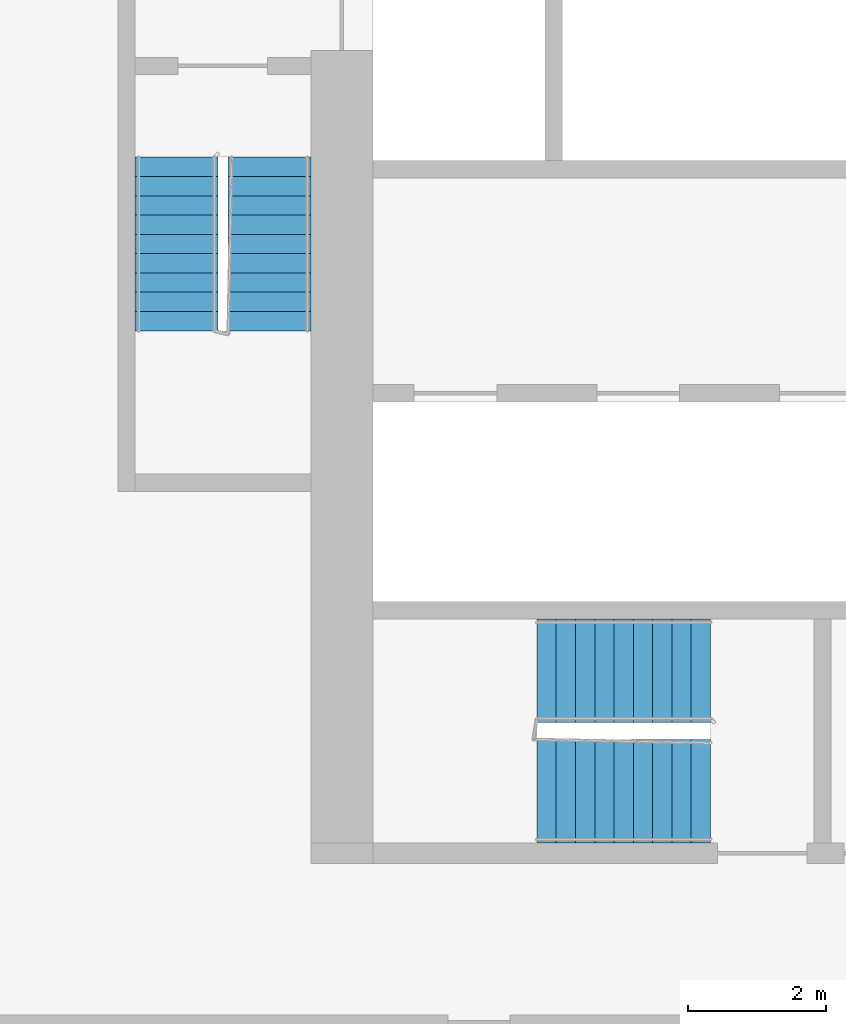
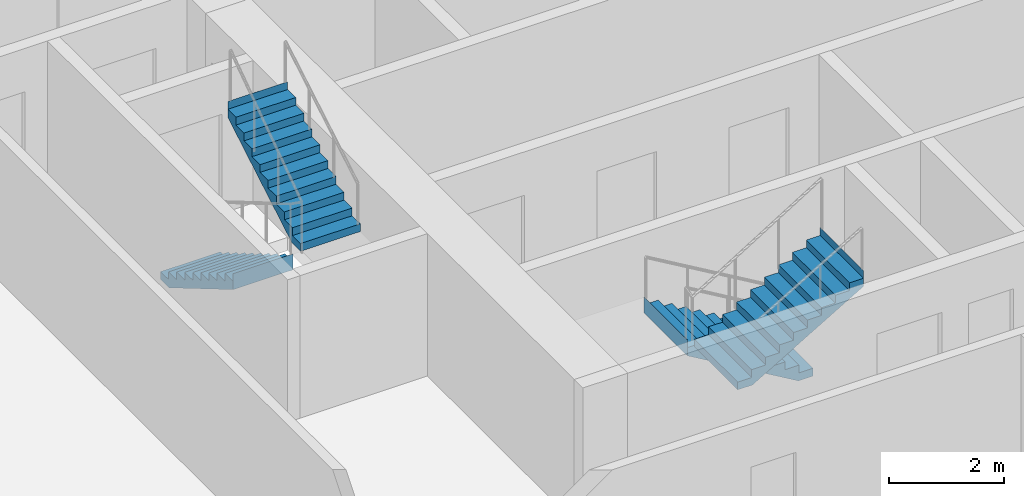
# One storey, part 9 of 12: 4 stair flights, 2 elements without a shape of their own.
"""IFC4 building model written with IfcOpenShell, lengths in metres."""

import ifcopenshell
import ifcopenshell.guid

model = None  # the IFC model being written
_history = None  # IfcOwnerHistory: only IFC2X3 demands one
_inside = {}  # id of a spatial element -> (the spatial element, [elements in it])
_under = {}  # id of a project, library or spatial element -> (it, [spatial elements below it])
_declared = {}  # id of a project -> (the project, [libraries it declares])
_typed = {}  # id of a type object -> (the type object, [elements of that type])
_made_of = {}  # id of a material, layer set ... -> (it, [elements and type objects made of it])


def new_model(schema):
    """Start an empty IFC model of exactly this schema.

    Asked for "IFC4X3", IfcOpenShell would pick the latest addendum, in which some entities
    have other attributes; the version numbers below select the first issue.
    IFC2X3 requires an IfcOwnerHistory on every rooted entity: one is made here for all.
    """
    global model, _history
    if schema == "IFC4X3":
        model = ifcopenshell.file(schema_version=(4, 3, 0, 0))
    else:
        model = ifcopenshell.file(schema=schema)
    _inside.clear()
    _under.clear()
    _declared.clear()
    _typed.clear()
    _made_of.clear()
    _history = None
    if model.schema == "IFC2X3":
        org = make("IfcOrganization", Name="unknown")
        user = make(
            "IfcPersonAndOrganization",
            ThePerson=make("IfcPerson", FamilyName="unknown"),
            TheOrganization=org,
        )
        app = make(
            "IfcApplication",
            ApplicationDeveloper=org,
            Version="unknown",
            ApplicationFullName="unknown",
            ApplicationIdentifier="unknown",
        )
        _history = make(
            "IfcOwnerHistory",
            OwningUser=user,
            OwningApplication=app,
            ChangeAction="ADDED",
            CreationDate=0,
        )
    return model


def make(cls, **values):
    """One entity of the class cls with the attributes given. An attribute that is None is left unset."""
    return model.create_entity(
        cls, **{name: value for name, value in values.items() if value is not None}
    )


def rooted(cls, **values):
    """An entity with a GlobalId (a new one), such as an element, a storey or a relation."""
    return make(cls, GlobalId=ifcopenshell.guid.new(), OwnerHistory=_history, **values)


def si_unit(unit_type, name, prefix=None):
    """IfcSIUnit, for example si_unit("LENGTHUNIT", "METRE", prefix="MILLI")."""
    return make("IfcSIUnit", UnitType=unit_type, Prefix=prefix, Name=name)


def assignment(units):
    """IfcUnitAssignment: the units of a project."""
    return None if units is None else make("IfcUnitAssignment", Units=units)


def point(xyz):
    """IfcCartesianPoint."""
    return None if xyz is None else make("IfcCartesianPoint", Coordinates=xyz)


def direction(xyz):
    """IfcDirection."""
    return None if xyz is None else make("IfcDirection", DirectionRatios=xyz)


def frame(location, z_axis=None, x_axis=None):
    """IfcAxis2Placement3D, a coordinate frame: its origin and axes. An axis left out is left unset."""
    return make(
        "IfcAxis2Placement3D",
        Location=point(location),
        Axis=direction(z_axis),
        RefDirection=direction(x_axis),
    )


def origin():
    """The frame at (0, 0, 0) with its axes left unset."""
    return frame((0.0, 0.0, 0.0))


def place(relative_to, where):
    """IfcLocalPlacement: puts the frame where relative to a parent placement (None: the world)."""
    return make(
        "IfcLocalPlacement", PlacementRelTo=relative_to, RelativePlacement=where
    )


def context(
    kind, dimensions, precision=None, world=None, true_north=None, identifier=None
):
    """IfcGeometricRepresentationContext, for example the 3D "Model" context."""
    return make(
        "IfcGeometricRepresentationContext",
        ContextIdentifier=identifier,
        ContextType=kind,
        CoordinateSpaceDimension=dimensions,
        Precision=precision,
        WorldCoordinateSystem=world,
        TrueNorth=true_north,
    )


def subcontext(parent, identifier, kind, view, scale=None):
    """IfcGeometricRepresentationSubContext, for example "Body" below "Model"."""
    return make(
        "IfcGeometricRepresentationSubContext",
        ContextIdentifier=identifier,
        ContextType=kind,
        ParentContext=parent,
        TargetScale=scale,
        TargetView=view,
    )


def project(units=None, contexts=None):
    """IfcProject with its units and contexts."""
    return rooted(
        "IfcProject",
        Name="project",
        RepresentationContexts=contexts,
        UnitsInContext=assignment(units),
    )


def spatial(cls, under=None, at=None, **own):
    """A site, building, storey or space (cls), placed at a placement, below another one or the project."""
    s = rooted(cls, ObjectPlacement=at, **own)
    if under is not None:
        _under.setdefault(under.id(), (under, []))[1].append(s)
    return s


def faces_of(points, faces, orient=None, outer=None):
    """IfcFace entities. A face is a list of loops; a loop is a list of indices into points, from 0.

    orient and outer hold one flag for each loop. By default every Orientation is true, the
    first loop of a face is its IfcFaceOuterBound and the others are IfcFaceBound.
    """
    made = []
    for i, loops in enumerate(faces):
        bounds = []
        for j, loop in enumerate(loops):
            is_outer = j == 0 if outer is None else outer[i][j]
            bounds.append(
                make(
                    "IfcFaceOuterBound" if is_outer else "IfcFaceBound",
                    Bound=make("IfcPolyLoop", Polygon=[points[k] for k in loop]),
                    Orientation=True if orient is None else orient[i][j],
                )
            )
        made.append(make("IfcFace", Bounds=bounds))
    return made


def faceted_brep(points, faces, orient=None, outer=None, voids=None):
    """IfcFacetedBrep: a solid bounded by flat faces; with voids (closed shells), ...WithVoids."""
    shared = [point(p) for p in points]
    hull = make("IfcClosedShell", CfsFaces=faces_of(shared, faces, orient, outer))
    if voids is None:
        return make("IfcFacetedBrep", Outer=hull)
    return make(
        "IfcFacetedBrepWithVoids",
        Outer=hull,
        Voids=[
            make(cls, CfsFaces=faces_of(shared, fs, o, b)) for cls, fs, o, b in voids
        ],
    )


def shape(context_of_items, identifier, shape_type, items):
    """IfcShapeRepresentation: the items that make up one representation, for example the "Body"."""
    return make(
        "IfcShapeRepresentation",
        ContextOfItems=context_of_items,
        RepresentationIdentifier=identifier,
        RepresentationType=shape_type,
        Items=items,
    )


def material(Name=None, Category=None):
    """IfcMaterial."""
    return make("IfcMaterial", Name=Name, Category=Category)


def made_of(thing, what):
    """Note that an element or type object is made of a material, layer set ...; save() writes the relation."""
    if what is not None:
        _made_of.setdefault(what.id(), (what, []))[1].append(thing)
    return thing


def type_object(cls, material=None, **own):
    """A type object (cls), such as IfcWallType, which elements share."""
    return made_of(rooted(cls, **own), material)


def element(
    cls,
    number,
    at=None,
    inside=None,
    cuts=None,
    type_object=None,
    material=None,
    context=None,
    identifier="Body",
    shape_type=None,
    held_by="IfcProductDefinitionShape",
    body=None,
    shapes=None,
    **own,
):
    """One element of the class cls, such as IfcWall. Its Tag is "e" and its number.

    at: its placement. inside: the storey or other place that contains it. cuts: it is an
    opening in that element (IfcRelVoidsElement). A single representation is given by context,
    identifier, shape_type and body (its items); several are given by shapes. held_by: the class
    of the entity that holds the representations. save() writes the other relations.
    """
    e = rooted(cls, Tag="e%d" % number, ObjectPlacement=at, **own)
    if body is not None:
        shapes = [shape(context, identifier, shape_type, body)]
    if shapes is not None:
        e.Representation = make(held_by, Representations=shapes)
    if inside is not None:
        _inside.setdefault(inside.id(), (inside, []))[1].append(e)
    if cuts is not None:
        rooted(
            "IfcRelVoidsElement", RelatingBuildingElement=cuts, RelatedOpeningElement=e
        )
    if type_object is not None:
        _typed.setdefault(type_object.id(), (type_object, []))[1].append(e)
    return made_of(e, material)


def aggregate(whole, parts):
    """IfcRelAggregates: a whole, such as a stair, and the parts it consists of."""
    return rooted("IfcRelAggregates", RelatingObject=whole, RelatedObjects=parts)


def save(model, path):
    """Write the relations noted so far, then the file.

    IfcRelAggregates (storeys below a building ...), IfcRelContainedInSpatialStructure (elements
    in a storey), IfcRelDefinesByType, IfcRelAssociatesMaterial and IfcRelDeclares: one each for
    every whole, place, type object, material and project.
    """
    for whole, parts in _under.values():
        aggregate(whole, parts)
    for where, things in _inside.values():
        rooted(
            "IfcRelContainedInSpatialStructure",
            RelatedElements=things,
            RelatingStructure=where,
        )
    for kind, things in _typed.values():
        rooted("IfcRelDefinesByType", RelatedObjects=things, RelatingType=kind)
    for what, things in _made_of.values():
        rooted("IfcRelAssociatesMaterial", RelatedObjects=things, RelatingMaterial=what)
    for by, libraries in _declared.values():
        rooted("IfcRelDeclares", RelatingContext=by, RelatedDefinitions=libraries)
    model.write(path)


model = new_model("IFC4")

# Units and contexts
model_context = context("Model", 3, precision=1e-05, world=origin(), true_north=direction((0.0, 1.0)))
body_context = subcontext(model_context, "Body", "Model", "MODEL_VIEW")
ifc_project = project(units=[si_unit("LENGTHUNIT", "METRE"), si_unit("AREAUNIT", "SQUARE_METRE"), si_unit("VOLUMEUNIT", "CUBIC_METRE"), si_unit("PLANEANGLEUNIT", "RADIAN"), si_unit("MASSUNIT", "GRAM", prefix="KILO")], contexts=[model_context])

# Site, building, storey
site_placement = place(None, origin())
site = spatial("IfcSite", under=ifc_project, at=site_placement, CompositionType="ELEMENT")
building_placement = place(site_placement, origin())
building = spatial("IfcBuilding", under=site, at=building_placement, Name="Kajstack Hotel Tower", CompositionType="ELEMENT")
storey_placement = place(building_placement, frame((0.0, 0.0, 63.300048828125)))
storey = spatial("IfcBuildingStorey", under=building, at=storey_placement, Name="L10", CompositionType="ELEMENT", Elevation=63.300048828125)

# Stair, stair flights
ifc_material = material(Name="Concrete C40/50", Category="concrete")
stair_type_1 = type_object("IfcStairType", Name="Exit stair 1200", PredefinedType="HALF_TURN_STAIR", material=ifc_material)
stair_1_placement = place(storey_placement, origin())
stair_1 = element("IfcStair", 1, at=stair_1_placement, inside=storey, type_object=stair_type_1, Name="L10 stair W1", PredefinedType="HALF_TURN_STAIR")
stair_flight_type_1 = type_object("IfcStairFlightType", Name="Exit stair flight 1200", PredefinedType="STRAIGHT", material=ifc_material)
stair_flight_1_placement = place(storey_placement, frame((-33.449951171875, -5.25, 0.0), z_axis=(0.0, 0.0, 1.0), x_axis=(0.0, -1.0, 0.0)))
stair_flight_1 = element("IfcStairFlight", 2, at=stair_flight_1_placement, type_object=stair_flight_type_1, Name="W1 flight 1", NumberOfRisers=10, NumberOfTreads=9, PredefinedType="STRAIGHT", RiserHeight=0.165, TreadLength=0.28, context=body_context, shape_type="Brep", body=[
    faceted_brep([(0.295654296875, -0.60009765625, 0.0), (2.5205078125, -0.60009765625, 1.31103515625), (2.5205078125, -0.60009765625, 1.64990234375), (2.52001953125, -0.60009765625, 1.64990234375), (2.52001953125, -0.60009765625, 1.485107421875), (2.239990234375, -0.60009765625, 1.485107421875), (2.239990234375, -0.60009765625, 1.320068359375), (1.9599609375, -0.60009765625, 1.320068359375), (1.9599609375, -0.60009765625, 1.155029296875), (1.679931640625, -0.60009765625, 1.155029296875), (1.679931640625, -0.60009765625, 0.989990234375), (1.39990234375, -0.60009765625, 0.989990234375), (1.39990234375, -0.60009765625, 0.824951171875), (1.1201171875, -0.60009765625, 0.824951171875), (1.1201171875, -0.60009765625, 0.659912109375), (0.840087890625, -0.60009765625, 0.659912109375), (0.840087890625, -0.60009765625, 0.4951171875), (0.56005859375, -0.60009765625, 0.4951171875), (0.56005859375, -0.60009765625, 0.330078125), (0.280029296875, -0.60009765625, 0.330078125), (0.280029296875, -0.60009765625, 0.1650390625), (-0.00048828125, -0.60009765625, 0.1650390625), (-0.00048828125, -0.60009765625, 0.0), (-0.00048828125, 0.60009765625, 0.0), (-0.00048828125, 0.60009765625, 0.1650390625), (0.280029296875, 0.60009765625, 0.1650390625), (0.280029296875, 0.60009765625, 0.330078125), (0.56005859375, 0.60009765625, 0.330078125), (0.56005859375, 0.60009765625, 0.4951171875), (0.840087890625, 0.60009765625, 0.4951171875), (0.840087890625, 0.60009765625, 0.659912109375), (1.1201171875, 0.60009765625, 0.659912109375), (1.1201171875, 0.60009765625, 0.824951171875), (1.39990234375, 0.60009765625, 0.824951171875), (1.39990234375, 0.60009765625, 0.989990234375), (1.679931640625, 0.60009765625, 0.989990234375), (1.679931640625, 0.60009765625, 1.155029296875), (1.9599609375, 0.60009765625, 1.155029296875), (1.9599609375, 0.60009765625, 1.320068359375), (2.239990234375, 0.60009765625, 1.320068359375), (2.239990234375, 0.60009765625, 1.485107421875), (2.52001953125, 0.60009765625, 1.485107421875), (2.52001953125, 0.60009765625, 1.64990234375), (2.5205078125, 0.60009765625, 1.64990234375), (2.5205078125, 0.60009765625, 1.31103515625), (0.295654296875, 0.60009765625, 0.0), (-0.00048828125, -0.300048828125, 0.1650390625), (-0.00048828125, 0.0, 0.1650390625), (-0.00048828125, 0.300048828125, 0.1650390625), (-0.00048828125, 0.300048828125, 0.0), (-0.00048828125, 0.0, 0.0), (-0.00048828125, -0.300048828125, 0.0), (0.280029296875, -0.300048828125, 0.1650390625), (0.280029296875, 0.0, 0.1650390625), (0.280029296875, 0.300048828125, 0.1650390625), (0.280029296875, -0.300048828125, 0.330078125), (0.280029296875, 0.0, 0.330078125), (0.280029296875, 0.300048828125, 0.330078125), (0.56005859375, -0.300048828125, 0.330078125), (0.56005859375, 0.0, 0.330078125), (0.56005859375, 0.300048828125, 0.330078125), (0.56005859375, -0.300048828125, 0.4951171875), (0.56005859375, 0.0, 0.4951171875), (0.56005859375, 0.300048828125, 0.4951171875), (0.840087890625, -0.300048828125, 0.4951171875), (0.840087890625, 0.0, 0.4951171875), (0.840087890625, 0.300048828125, 0.4951171875), (0.840087890625, -0.300048828125, 0.659912109375), (0.840087890625, 0.0, 0.659912109375), (0.840087890625, 0.300048828125, 0.659912109375), (1.1201171875, -0.300048828125, 0.659912109375), (1.1201171875, 0.0, 0.659912109375), (1.1201171875, 0.300048828125, 0.659912109375), (1.1201171875, -0.300048828125, 0.824951171875), (1.1201171875, 0.0, 0.824951171875), (1.1201171875, 0.300048828125, 0.824951171875), (1.39990234375, -0.300048828125, 0.824951171875), (1.39990234375, 0.0, 0.824951171875), (1.39990234375, 0.300048828125, 0.824951171875), (1.39990234375, -0.300048828125, 0.989990234375), (1.39990234375, 0.0, 0.989990234375), (1.39990234375, 0.300048828125, 0.989990234375), (1.679931640625, -0.300048828125, 0.989990234375), (1.679931640625, 0.0, 0.989990234375), (1.679931640625, 0.300048828125, 0.989990234375), (1.679931640625, -0.300048828125, 1.155029296875), (1.679931640625, 0.0, 1.155029296875), (1.679931640625, 0.300048828125, 1.155029296875), (1.9599609375, -0.300048828125, 1.155029296875), (1.9599609375, 0.0, 1.155029296875), (1.9599609375, 0.300048828125, 1.155029296875), (1.9599609375, -0.300048828125, 1.320068359375), (1.9599609375, 0.0, 1.320068359375), (1.9599609375, 0.300048828125, 1.320068359375), (2.239990234375, -0.300048828125, 1.320068359375), (2.239990234375, 0.0, 1.320068359375), (2.239990234375, 0.300048828125, 1.320068359375), (2.239990234375, -0.300048828125, 1.485107421875), (2.239990234375, 0.0, 1.485107421875), (2.239990234375, 0.300048828125, 1.485107421875), (2.52001953125, -0.300048828125, 1.485107421875), (2.52001953125, 0.0, 1.485107421875), (2.52001953125, 0.300048828125, 1.485107421875), (2.52001953125, -0.300048828125, 1.64990234375), (2.52001953125, 0.0, 1.64990234375), (2.52001953125, 0.300048828125, 1.64990234375), (2.5205078125, -0.300048828125, 1.64990234375), (2.5205078125, 0.0, 1.64990234375), (2.5205078125, 0.300048828125, 1.64990234375), (2.5205078125, -0.300048828125, 1.31103515625), (2.5205078125, 0.0, 1.31103515625), (2.5205078125, 0.300048828125, 1.31103515625), (0.295654296875, -0.300048828125, 0.0), (0.295654296875, 0.0, 0.0), (0.295654296875, 0.300048828125, 0.0)], [[[0, 1, 2, 3, 4, 5, 6, 7, 8, 9, 10, 11, 12, 13, 14, 15, 16, 17, 18, 19, 20, 21, 22]], [[23, 24, 25, 26, 27, 28, 29, 30, 31, 32, 33, 34, 35, 36, 37, 38, 39, 40, 41, 42, 43, 44, 45]], [[21, 46, 47, 48, 24, 23, 49, 50, 51, 22]], [[20, 52, 53, 54, 25, 24, 48, 47, 46, 21]], [[19, 55, 56, 57, 26, 25, 54, 53, 52, 20]], [[18, 58, 59, 60, 27, 26, 57, 56, 55, 19]], [[17, 61, 62, 63, 28, 27, 60, 59, 58, 18]], [[16, 64, 65, 66, 29, 28, 63, 62, 61, 17]], [[15, 67, 68, 69, 30, 29, 66, 65, 64, 16]], [[14, 70, 71, 72, 31, 30, 69, 68, 67, 15]], [[13, 73, 74, 75, 32, 31, 72, 71, 70, 14]], [[12, 76, 77, 78, 33, 32, 75, 74, 73, 13]], [[11, 79, 80, 81, 34, 33, 78, 77, 76, 12]], [[10, 82, 83, 84, 35, 34, 81, 80, 79, 11]], [[9, 85, 86, 87, 36, 35, 84, 83, 82, 10]], [[8, 88, 89, 90, 37, 36, 87, 86, 85, 9]], [[7, 91, 92, 93, 38, 37, 90, 89, 88, 8]], [[6, 94, 95, 96, 39, 38, 93, 92, 91, 7]], [[5, 97, 98, 99, 40, 39, 96, 95, 94, 6]], [[4, 100, 101, 102, 41, 40, 99, 98, 97, 5]], [[3, 103, 104, 105, 42, 41, 102, 101, 100, 4]], [[2, 106, 107, 108, 43, 42, 105, 104, 103, 3]], [[1, 109, 110, 111, 44, 43, 108, 107, 106, 2]], [[0, 112, 113, 114, 45, 44, 111, 110, 109, 1]], [[22, 51, 50, 49, 23, 45, 114, 113, 112, 0]]]),
])
stair_flight_2_placement = place(storey_placement, frame((-32.10009765625, -7.77001953125, 1.64990234375), z_axis=(0.0, 0.0, 1.0), x_axis=(0.0, 1.0, 0.0)))
stair_flight_2 = element("IfcStairFlight", 3, at=stair_flight_2_placement, type_object=stair_flight_type_1, Name="W1 flight 2", NumberOfRisers=10, NumberOfTreads=9, PredefinedType="STRAIGHT", RiserHeight=0.165, TreadLength=0.28, context=body_context, shape_type="Brep", body=[
    faceted_brep([(0.295654296875, -0.60009765625, 0.0), (2.5205078125, -0.60009765625, 1.31103515625), (2.5205078125, -0.60009765625, 1.64990234375), (2.52001953125, -0.60009765625, 1.64990234375), (2.52001953125, -0.60009765625, 1.485107421875), (2.239990234375, -0.60009765625, 1.485107421875), (2.239990234375, -0.60009765625, 1.320068359375), (1.9599609375, -0.60009765625, 1.320068359375), (1.9599609375, -0.60009765625, 1.155029296875), (1.679931640625, -0.60009765625, 1.155029296875), (1.679931640625, -0.60009765625, 0.989990234375), (1.39990234375, -0.60009765625, 0.989990234375), (1.39990234375, -0.60009765625, 0.824951171875), (1.1201171875, -0.60009765625, 0.824951171875), (1.1201171875, -0.60009765625, 0.659912109375), (0.840087890625, -0.60009765625, 0.659912109375), (0.840087890625, -0.60009765625, 0.4951171875), (0.56005859375, -0.60009765625, 0.4951171875), (0.56005859375, -0.60009765625, 0.330078125), (0.280029296875, -0.60009765625, 0.330078125), (0.280029296875, -0.60009765625, 0.1650390625), (-0.00048828125, -0.60009765625, 0.1650390625), (-0.00048828125, -0.60009765625, 0.0), (-0.00048828125, 0.60009765625, 0.0), (-0.00048828125, 0.60009765625, 0.1650390625), (0.280029296875, 0.60009765625, 0.1650390625), (0.280029296875, 0.60009765625, 0.330078125), (0.56005859375, 0.60009765625, 0.330078125), (0.56005859375, 0.60009765625, 0.4951171875), (0.840087890625, 0.60009765625, 0.4951171875), (0.840087890625, 0.60009765625, 0.659912109375), (1.1201171875, 0.60009765625, 0.659912109375), (1.1201171875, 0.60009765625, 0.824951171875), (1.39990234375, 0.60009765625, 0.824951171875), (1.39990234375, 0.60009765625, 0.989990234375), (1.679931640625, 0.60009765625, 0.989990234375), (1.679931640625, 0.60009765625, 1.155029296875), (1.9599609375, 0.60009765625, 1.155029296875), (1.9599609375, 0.60009765625, 1.320068359375), (2.239990234375, 0.60009765625, 1.320068359375), (2.239990234375, 0.60009765625, 1.485107421875), (2.52001953125, 0.60009765625, 1.485107421875), (2.52001953125, 0.60009765625, 1.64990234375), (2.5205078125, 0.60009765625, 1.64990234375), (2.5205078125, 0.60009765625, 1.31103515625), (0.295654296875, 0.60009765625, 0.0), (-0.00048828125, -0.300048828125, 0.1650390625), (-0.00048828125, 0.0, 0.1650390625), (-0.00048828125, 0.300048828125, 0.1650390625), (-0.00048828125, 0.300048828125, 0.0), (-0.00048828125, 0.0, 0.0), (-0.00048828125, -0.300048828125, 0.0), (0.280029296875, -0.300048828125, 0.1650390625), (0.280029296875, 0.0, 0.1650390625), (0.280029296875, 0.300048828125, 0.1650390625), (0.280029296875, -0.300048828125, 0.330078125), (0.280029296875, 0.0, 0.330078125), (0.280029296875, 0.300048828125, 0.330078125), (0.56005859375, -0.300048828125, 0.330078125), (0.56005859375, 0.0, 0.330078125), (0.56005859375, 0.300048828125, 0.330078125), (0.56005859375, -0.300048828125, 0.4951171875), (0.56005859375, 0.0, 0.4951171875), (0.56005859375, 0.300048828125, 0.4951171875), (0.840087890625, -0.300048828125, 0.4951171875), (0.840087890625, 0.0, 0.4951171875), (0.840087890625, 0.300048828125, 0.4951171875), (0.840087890625, -0.300048828125, 0.659912109375), (0.840087890625, 0.0, 0.659912109375), (0.840087890625, 0.300048828125, 0.659912109375), (1.1201171875, -0.300048828125, 0.659912109375), (1.1201171875, 0.0, 0.659912109375), (1.1201171875, 0.300048828125, 0.659912109375), (1.1201171875, -0.300048828125, 0.824951171875), (1.1201171875, 0.0, 0.824951171875), (1.1201171875, 0.300048828125, 0.824951171875), (1.39990234375, -0.300048828125, 0.824951171875), (1.39990234375, 0.0, 0.824951171875), (1.39990234375, 0.300048828125, 0.824951171875), (1.39990234375, -0.300048828125, 0.989990234375), (1.39990234375, 0.0, 0.989990234375), (1.39990234375, 0.300048828125, 0.989990234375), (1.679931640625, -0.300048828125, 0.989990234375), (1.679931640625, 0.0, 0.989990234375), (1.679931640625, 0.300048828125, 0.989990234375), (1.679931640625, -0.300048828125, 1.155029296875), (1.679931640625, 0.0, 1.155029296875), (1.679931640625, 0.300048828125, 1.155029296875), (1.9599609375, -0.300048828125, 1.155029296875), (1.9599609375, 0.0, 1.155029296875), (1.9599609375, 0.300048828125, 1.155029296875), (1.9599609375, -0.300048828125, 1.320068359375), (1.9599609375, 0.0, 1.320068359375), (1.9599609375, 0.300048828125, 1.320068359375), (2.239990234375, -0.300048828125, 1.320068359375), (2.239990234375, 0.0, 1.320068359375), (2.239990234375, 0.300048828125, 1.320068359375), (2.239990234375, -0.300048828125, 1.485107421875), (2.239990234375, 0.0, 1.485107421875), (2.239990234375, 0.300048828125, 1.485107421875), (2.52001953125, -0.300048828125, 1.485107421875), (2.52001953125, 0.0, 1.485107421875), (2.52001953125, 0.300048828125, 1.485107421875), (2.52001953125, -0.300048828125, 1.64990234375), (2.52001953125, 0.0, 1.64990234375), (2.52001953125, 0.300048828125, 1.64990234375), (2.5205078125, -0.300048828125, 1.64990234375), (2.5205078125, 0.0, 1.64990234375), (2.5205078125, 0.300048828125, 1.64990234375), (2.5205078125, -0.300048828125, 1.31103515625), (2.5205078125, 0.0, 1.31103515625), (2.5205078125, 0.300048828125, 1.31103515625), (0.295654296875, -0.300048828125, 0.0), (0.295654296875, 0.0, 0.0), (0.295654296875, 0.300048828125, 0.0)], [[[0, 1, 2, 3, 4, 5, 6, 7, 8, 9, 10, 11, 12, 13, 14, 15, 16, 17, 18, 19, 20, 21, 22]], [[23, 24, 25, 26, 27, 28, 29, 30, 31, 32, 33, 34, 35, 36, 37, 38, 39, 40, 41, 42, 43, 44, 45]], [[21, 46, 47, 48, 24, 23, 49, 50, 51, 22]], [[20, 52, 53, 54, 25, 24, 48, 47, 46, 21]], [[19, 55, 56, 57, 26, 25, 54, 53, 52, 20]], [[18, 58, 59, 60, 27, 26, 57, 56, 55, 19]], [[17, 61, 62, 63, 28, 27, 60, 59, 58, 18]], [[16, 64, 65, 66, 29, 28, 63, 62, 61, 17]], [[15, 67, 68, 69, 30, 29, 66, 65, 64, 16]], [[14, 70, 71, 72, 31, 30, 69, 68, 67, 15]], [[13, 73, 74, 75, 32, 31, 72, 71, 70, 14]], [[12, 76, 77, 78, 33, 32, 75, 74, 73, 13]], [[11, 79, 80, 81, 34, 33, 78, 77, 76, 12]], [[10, 82, 83, 84, 35, 34, 81, 80, 79, 11]], [[9, 85, 86, 87, 36, 35, 84, 83, 82, 10]], [[8, 88, 89, 90, 37, 36, 87, 86, 85, 9]], [[7, 91, 92, 93, 38, 37, 90, 89, 88, 8]], [[6, 94, 95, 96, 39, 38, 93, 92, 91, 7]], [[5, 97, 98, 99, 40, 39, 96, 95, 94, 6]], [[4, 100, 101, 102, 41, 40, 99, 98, 97, 5]], [[3, 103, 104, 105, 42, 41, 102, 101, 100, 4]], [[2, 106, 107, 108, 43, 42, 105, 104, 103, 3]], [[1, 109, 110, 111, 44, 43, 108, 107, 106, 2]], [[0, 112, 113, 114, 45, 44, 111, 110, 109, 1]], [[22, 51, 50, 49, 23, 45, 114, 113, 112, 0]]]),
])
aggregate(stair_1, [stair_flight_1, stair_flight_2])

stair_type_2 = type_object("IfcStairType", Name="Exit stair 1500", PredefinedType="HALF_TURN_STAIR", material=ifc_material)
stair_2_placement = place(storey_placement, origin())
stair_2 = element("IfcStair", 4, at=stair_2_placement, inside=storey, type_object=stair_type_2, Name="L10 stair W3", PredefinedType="HALF_TURN_STAIR")
stair_flight_type_2 = type_object("IfcStairFlightType", Name="Exit stair flight 1500", PredefinedType="STRAIGHT", material=ifc_material)
stair_flight_3_placement = place(storey_placement, frame((-25.699951171875, -12.699951171875, 0.0), z_axis=(0.0, 0.0, 1.0), x_axis=(-1.0, 0.0, 0.0)))
stair_flight_3 = element("IfcStairFlight", 5, at=stair_flight_3_placement, type_object=stair_flight_type_2, Name="W3 flight 1", NumberOfRisers=10, NumberOfTreads=9, PredefinedType="STRAIGHT", RiserHeight=0.165, TreadLength=0.28, context=body_context, shape_type="Brep", body=[
    faceted_brep([(0.295654296875, -0.75, 0.0), (2.5205078125, -0.75, 1.31103515625), (2.5205078125, -0.75, 1.64990234375), (2.52001953125, -0.75, 1.64990234375), (2.52001953125, -0.75, 1.485107421875), (2.239990234375, -0.75, 1.485107421875), (2.239990234375, -0.75, 1.320068359375), (1.9599609375, -0.75, 1.320068359375), (1.9599609375, -0.75, 1.155029296875), (1.679931640625, -0.75, 1.155029296875), (1.679931640625, -0.75, 0.989990234375), (1.39990234375, -0.75, 0.989990234375), (1.39990234375, -0.75, 0.824951171875), (1.1201171875, -0.75, 0.824951171875), (1.1201171875, -0.75, 0.659912109375), (0.840087890625, -0.75, 0.659912109375), (0.840087890625, -0.75, 0.4951171875), (0.56005859375, -0.75, 0.4951171875), (0.56005859375, -0.75, 0.330078125), (0.280029296875, -0.75, 0.330078125), (0.280029296875, -0.75, 0.1650390625), (-0.00048828125, -0.75, 0.1650390625), (-0.00048828125, -0.75, 0.0), (-0.00048828125, 0.75, 0.0), (-0.00048828125, 0.75, 0.1650390625), (0.280029296875, 0.75, 0.1650390625), (0.280029296875, 0.75, 0.330078125), (0.56005859375, 0.75, 0.330078125), (0.56005859375, 0.75, 0.4951171875), (0.840087890625, 0.75, 0.4951171875), (0.840087890625, 0.75, 0.659912109375), (1.1201171875, 0.75, 0.659912109375), (1.1201171875, 0.75, 0.824951171875), (1.39990234375, 0.75, 0.824951171875), (1.39990234375, 0.75, 0.989990234375), (1.679931640625, 0.75, 0.989990234375), (1.679931640625, 0.75, 1.155029296875), (1.9599609375, 0.75, 1.155029296875), (1.9599609375, 0.75, 1.320068359375), (2.239990234375, 0.75, 1.320068359375), (2.239990234375, 0.75, 1.485107421875), (2.52001953125, 0.75, 1.485107421875), (2.52001953125, 0.75, 1.64990234375), (2.5205078125, 0.75, 1.64990234375), (2.5205078125, 0.75, 1.31103515625), (0.295654296875, 0.75, 0.0), (-0.00048828125, -0.375, 0.1650390625), (-0.00048828125, 0.0, 0.1650390625), (-0.00048828125, 0.375, 0.1650390625), (-0.00048828125, 0.375, 0.0), (-0.00048828125, 0.0, 0.0), (-0.00048828125, -0.375, 0.0), (0.280029296875, -0.375, 0.1650390625), (0.280029296875, 0.0, 0.1650390625), (0.280029296875, 0.375, 0.1650390625), (0.280029296875, -0.375, 0.330078125), (0.280029296875, 0.0, 0.330078125), (0.280029296875, 0.375, 0.330078125), (0.56005859375, -0.375, 0.330078125), (0.56005859375, 0.0, 0.330078125), (0.56005859375, 0.375, 0.330078125), (0.56005859375, -0.375, 0.4951171875), (0.56005859375, 0.0, 0.4951171875), (0.56005859375, 0.375, 0.4951171875), (0.840087890625, -0.375, 0.4951171875), (0.840087890625, 0.0, 0.4951171875), (0.840087890625, 0.375, 0.4951171875), (0.840087890625, -0.375, 0.659912109375), (0.840087890625, 0.0, 0.659912109375), (0.840087890625, 0.375, 0.659912109375), (1.1201171875, -0.375, 0.659912109375), (1.1201171875, 0.0, 0.659912109375), (1.1201171875, 0.375, 0.659912109375), (1.1201171875, -0.375, 0.824951171875), (1.1201171875, 0.0, 0.824951171875), (1.1201171875, 0.375, 0.824951171875), (1.39990234375, -0.375, 0.824951171875), (1.39990234375, 0.0, 0.824951171875), (1.39990234375, 0.375, 0.824951171875), (1.39990234375, -0.375, 0.989990234375), (1.39990234375, 0.0, 0.989990234375), (1.39990234375, 0.375, 0.989990234375), (1.679931640625, -0.375, 0.989990234375), (1.679931640625, 0.0, 0.989990234375), (1.679931640625, 0.375, 0.989990234375), (1.679931640625, -0.375, 1.155029296875), (1.679931640625, 0.0, 1.155029296875), (1.679931640625, 0.375, 1.155029296875), (1.9599609375, -0.375, 1.155029296875), (1.9599609375, 0.0, 1.155029296875), (1.9599609375, 0.375, 1.155029296875), (1.9599609375, -0.375, 1.320068359375), (1.9599609375, 0.0, 1.320068359375), (1.9599609375, 0.375, 1.320068359375), (2.239990234375, -0.375, 1.320068359375), (2.239990234375, 0.0, 1.320068359375), (2.239990234375, 0.375, 1.320068359375), (2.239990234375, -0.375, 1.485107421875), (2.239990234375, 0.0, 1.485107421875), (2.239990234375, 0.375, 1.485107421875), (2.52001953125, -0.375, 1.485107421875), (2.52001953125, 0.0, 1.485107421875), (2.52001953125, 0.375, 1.485107421875), (2.52001953125, -0.375, 1.64990234375), (2.52001953125, 0.0, 1.64990234375), (2.52001953125, 0.375, 1.64990234375), (2.5205078125, -0.375, 1.64990234375), (2.5205078125, 0.0, 1.64990234375), (2.5205078125, 0.375, 1.64990234375), (2.5205078125, -0.375, 1.31103515625), (2.5205078125, 0.0, 1.31103515625), (2.5205078125, 0.375, 1.31103515625), (0.295654296875, -0.375, 0.0), (0.295654296875, 0.0, 0.0), (0.295654296875, 0.375, 0.0)], [[[0, 1, 2, 3, 4, 5, 6, 7, 8, 9, 10, 11, 12, 13, 14, 15, 16, 17, 18, 19, 20, 21, 22]], [[23, 24, 25, 26, 27, 28, 29, 30, 31, 32, 33, 34, 35, 36, 37, 38, 39, 40, 41, 42, 43, 44, 45]], [[21, 46, 47, 48, 24, 23, 49, 50, 51, 22]], [[20, 52, 53, 54, 25, 24, 48, 47, 46, 21]], [[19, 55, 56, 57, 26, 25, 54, 53, 52, 20]], [[18, 58, 59, 60, 27, 26, 57, 56, 55, 19]], [[17, 61, 62, 63, 28, 27, 60, 59, 58, 18]], [[16, 64, 65, 66, 29, 28, 63, 62, 61, 17]], [[15, 67, 68, 69, 30, 29, 66, 65, 64, 16]], [[14, 70, 71, 72, 31, 30, 69, 68, 67, 15]], [[13, 73, 74, 75, 32, 31, 72, 71, 70, 14]], [[12, 76, 77, 78, 33, 32, 75, 74, 73, 13]], [[11, 79, 80, 81, 34, 33, 78, 77, 76, 12]], [[10, 82, 83, 84, 35, 34, 81, 80, 79, 11]], [[9, 85, 86, 87, 36, 35, 84, 83, 82, 10]], [[8, 88, 89, 90, 37, 36, 87, 86, 85, 9]], [[7, 91, 92, 93, 38, 37, 90, 89, 88, 8]], [[6, 94, 95, 96, 39, 38, 93, 92, 91, 7]], [[5, 97, 98, 99, 40, 39, 96, 95, 94, 6]], [[4, 100, 101, 102, 41, 40, 99, 98, 97, 5]], [[3, 103, 104, 105, 42, 41, 102, 101, 100, 4]], [[2, 106, 107, 108, 43, 42, 105, 104, 103, 3]], [[1, 109, 110, 111, 44, 43, 108, 107, 106, 2]], [[0, 112, 113, 114, 45, 44, 111, 110, 109, 1]], [[22, 51, 50, 49, 23, 45, 114, 113, 112, 0]]]),
])
stair_flight_4_placement = place(storey_placement, frame((-28.219970703125, -14.449951171875, 1.64990234375), z_axis=(0.0, 0.0, 1.0), x_axis=(1.0, 0.0, 0.0)))
stair_flight_4 = element("IfcStairFlight", 6, at=stair_flight_4_placement, type_object=stair_flight_type_2, Name="W3 flight 2", NumberOfRisers=10, NumberOfTreads=9, PredefinedType="STRAIGHT", RiserHeight=0.165, TreadLength=0.28, context=body_context, shape_type="Brep", body=[
    faceted_brep([(0.295654296875, -0.75, 0.0), (2.5205078125, -0.75, 1.31103515625), (2.5205078125, -0.75, 1.64990234375), (2.52001953125, -0.75, 1.64990234375), (2.52001953125, -0.75, 1.485107421875), (2.239990234375, -0.75, 1.485107421875), (2.239990234375, -0.75, 1.320068359375), (1.9599609375, -0.75, 1.320068359375), (1.9599609375, -0.75, 1.155029296875), (1.679931640625, -0.75, 1.155029296875), (1.679931640625, -0.75, 0.989990234375), (1.39990234375, -0.75, 0.989990234375), (1.39990234375, -0.75, 0.824951171875), (1.1201171875, -0.75, 0.824951171875), (1.1201171875, -0.75, 0.659912109375), (0.840087890625, -0.75, 0.659912109375), (0.840087890625, -0.75, 0.4951171875), (0.56005859375, -0.75, 0.4951171875), (0.56005859375, -0.75, 0.330078125), (0.280029296875, -0.75, 0.330078125), (0.280029296875, -0.75, 0.1650390625), (-0.00048828125, -0.75, 0.1650390625), (-0.00048828125, -0.75, 0.0), (-0.00048828125, 0.75, 0.0), (-0.00048828125, 0.75, 0.1650390625), (0.280029296875, 0.75, 0.1650390625), (0.280029296875, 0.75, 0.330078125), (0.56005859375, 0.75, 0.330078125), (0.56005859375, 0.75, 0.4951171875), (0.840087890625, 0.75, 0.4951171875), (0.840087890625, 0.75, 0.659912109375), (1.1201171875, 0.75, 0.659912109375), (1.1201171875, 0.75, 0.824951171875), (1.39990234375, 0.75, 0.824951171875), (1.39990234375, 0.75, 0.989990234375), (1.679931640625, 0.75, 0.989990234375), (1.679931640625, 0.75, 1.155029296875), (1.9599609375, 0.75, 1.155029296875), (1.9599609375, 0.75, 1.320068359375), (2.239990234375, 0.75, 1.320068359375), (2.239990234375, 0.75, 1.485107421875), (2.52001953125, 0.75, 1.485107421875), (2.52001953125, 0.75, 1.64990234375), (2.5205078125, 0.75, 1.64990234375), (2.5205078125, 0.75, 1.31103515625), (0.295654296875, 0.75, 0.0), (-0.00048828125, -0.375, 0.1650390625), (-0.00048828125, 0.0, 0.1650390625), (-0.00048828125, 0.375, 0.1650390625), (-0.00048828125, 0.375, 0.0), (-0.00048828125, 0.0, 0.0), (-0.00048828125, -0.375, 0.0), (0.280029296875, -0.375, 0.1650390625), (0.280029296875, 0.0, 0.1650390625), (0.280029296875, 0.375, 0.1650390625), (0.280029296875, -0.375, 0.330078125), (0.280029296875, 0.0, 0.330078125), (0.280029296875, 0.375, 0.330078125), (0.56005859375, -0.375, 0.330078125), (0.56005859375, 0.0, 0.330078125), (0.56005859375, 0.375, 0.330078125), (0.56005859375, -0.375, 0.4951171875), (0.56005859375, 0.0, 0.4951171875), (0.56005859375, 0.375, 0.4951171875), (0.840087890625, -0.375, 0.4951171875), (0.840087890625, 0.0, 0.4951171875), (0.840087890625, 0.375, 0.4951171875), (0.840087890625, -0.375, 0.659912109375), (0.840087890625, 0.0, 0.659912109375), (0.840087890625, 0.375, 0.659912109375), (1.1201171875, -0.375, 0.659912109375), (1.1201171875, 0.0, 0.659912109375), (1.1201171875, 0.375, 0.659912109375), (1.1201171875, -0.375, 0.824951171875), (1.1201171875, 0.0, 0.824951171875), (1.1201171875, 0.375, 0.824951171875), (1.39990234375, -0.375, 0.824951171875), (1.39990234375, 0.0, 0.824951171875), (1.39990234375, 0.375, 0.824951171875), (1.39990234375, -0.375, 0.989990234375), (1.39990234375, 0.0, 0.989990234375), (1.39990234375, 0.375, 0.989990234375), (1.679931640625, -0.375, 0.989990234375), (1.679931640625, 0.0, 0.989990234375), (1.679931640625, 0.375, 0.989990234375), (1.679931640625, -0.375, 1.155029296875), (1.679931640625, 0.0, 1.155029296875), (1.679931640625, 0.375, 1.155029296875), (1.9599609375, -0.375, 1.155029296875), (1.9599609375, 0.0, 1.155029296875), (1.9599609375, 0.375, 1.155029296875), (1.9599609375, -0.375, 1.320068359375), (1.9599609375, 0.0, 1.320068359375), (1.9599609375, 0.375, 1.320068359375), (2.239990234375, -0.375, 1.320068359375), (2.239990234375, 0.0, 1.320068359375), (2.239990234375, 0.375, 1.320068359375), (2.239990234375, -0.375, 1.485107421875), (2.239990234375, 0.0, 1.485107421875), (2.239990234375, 0.375, 1.485107421875), (2.52001953125, -0.375, 1.485107421875), (2.52001953125, 0.0, 1.485107421875), (2.52001953125, 0.375, 1.485107421875), (2.52001953125, -0.375, 1.64990234375), (2.52001953125, 0.0, 1.64990234375), (2.52001953125, 0.375, 1.64990234375), (2.5205078125, -0.375, 1.64990234375), (2.5205078125, 0.0, 1.64990234375), (2.5205078125, 0.375, 1.64990234375), (2.5205078125, -0.375, 1.31103515625), (2.5205078125, 0.0, 1.31103515625), (2.5205078125, 0.375, 1.31103515625), (0.295654296875, -0.375, 0.0), (0.295654296875, 0.0, 0.0), (0.295654296875, 0.375, 0.0)], [[[0, 1, 2, 3, 4, 5, 6, 7, 8, 9, 10, 11, 12, 13, 14, 15, 16, 17, 18, 19, 20, 21, 22]], [[23, 24, 25, 26, 27, 28, 29, 30, 31, 32, 33, 34, 35, 36, 37, 38, 39, 40, 41, 42, 43, 44, 45]], [[21, 46, 47, 48, 24, 23, 49, 50, 51, 22]], [[20, 52, 53, 54, 25, 24, 48, 47, 46, 21]], [[19, 55, 56, 57, 26, 25, 54, 53, 52, 20]], [[18, 58, 59, 60, 27, 26, 57, 56, 55, 19]], [[17, 61, 62, 63, 28, 27, 60, 59, 58, 18]], [[16, 64, 65, 66, 29, 28, 63, 62, 61, 17]], [[15, 67, 68, 69, 30, 29, 66, 65, 64, 16]], [[14, 70, 71, 72, 31, 30, 69, 68, 67, 15]], [[13, 73, 74, 75, 32, 31, 72, 71, 70, 14]], [[12, 76, 77, 78, 33, 32, 75, 74, 73, 13]], [[11, 79, 80, 81, 34, 33, 78, 77, 76, 12]], [[10, 82, 83, 84, 35, 34, 81, 80, 79, 11]], [[9, 85, 86, 87, 36, 35, 84, 83, 82, 10]], [[8, 88, 89, 90, 37, 36, 87, 86, 85, 9]], [[7, 91, 92, 93, 38, 37, 90, 89, 88, 8]], [[6, 94, 95, 96, 39, 38, 93, 92, 91, 7]], [[5, 97, 98, 99, 40, 39, 96, 95, 94, 6]], [[4, 100, 101, 102, 41, 40, 99, 98, 97, 5]], [[3, 103, 104, 105, 42, 41, 102, 101, 100, 4]], [[2, 106, 107, 108, 43, 42, 105, 104, 103, 3]], [[1, 109, 110, 111, 44, 43, 108, 107, 106, 2]], [[0, 112, 113, 114, 45, 44, 111, 110, 109, 1]], [[22, 51, 50, 49, 23, 45, 114, 113, 112, 0]]]),
])
aggregate(stair_2, [stair_flight_3, stair_flight_4])

save(model, "model.ifc")
